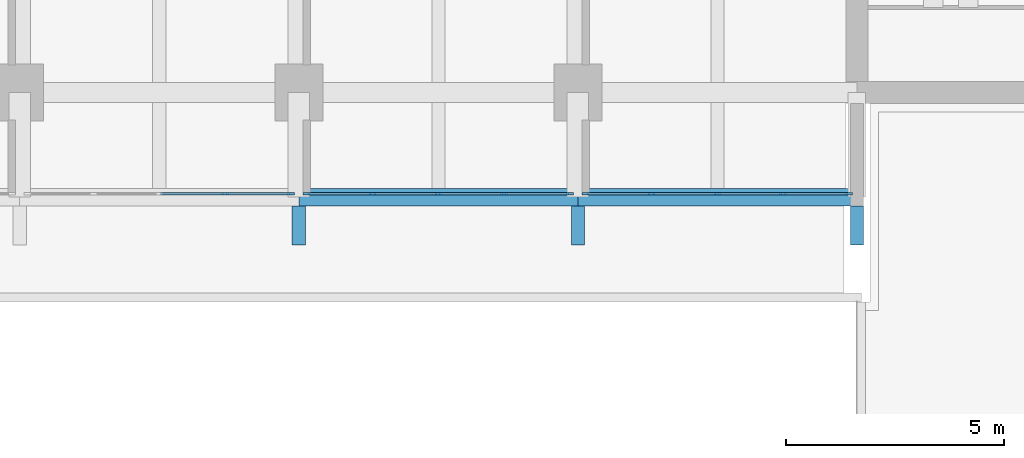
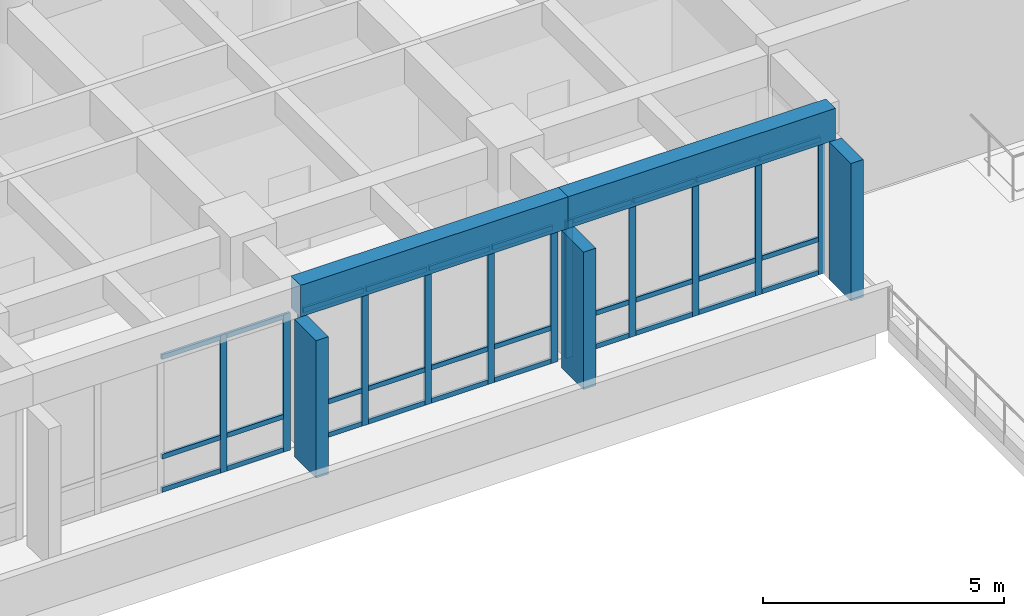
# One storey, part 3 of 21: 45 members, 2 beams, 3 elements without a shape of their own.
"""IFC4 building model written with IfcOpenShell, lengths in metres."""

from ifc_helpers import new_model, si_unit, direction, frame, origin, origin_2d, place, context, subcontext, project, spatial, rectangle, extrude, material, layer, layer_set, material_profile, profile_set, type_object, element, aggregate, save


model = new_model("IFC4")

# Units and contexts
model_context = context("Model", 3, precision=1e-05, world=origin(), true_north=direction((0.0, 1.0)))
body_context = subcontext(model_context, "Body", "Model", "MODEL_VIEW")
ifc_project = project(units=[si_unit("LENGTHUNIT", "METRE"), si_unit("AREAUNIT", "SQUARE_METRE"), si_unit("VOLUMEUNIT", "CUBIC_METRE"), si_unit("PLANEANGLEUNIT", "RADIAN"), si_unit("MASSUNIT", "GRAM", prefix="KILO")], contexts=[model_context])

# Site, building, storey
site_placement = place(None, origin())
site = spatial("IfcSite", under=ifc_project, at=site_placement, CompositionType="ELEMENT")
building_placement = place(site_placement, origin())
building = spatial("IfcBuilding", under=site, at=building_placement, Name="Fogon Plaza Fire Station and Headquarters Tower", CompositionType="ELEMENT")
storey_placement = place(building_placement, frame((0.0, 0.0, 8.39990234375)))
storey = spatial("IfcBuildingStorey", under=building, at=storey_placement, Name="L02", CompositionType="ELEMENT", Elevation=8.39990234375)

# Beams
ifc_material_1 = material(Name="Concrete C40", Category="concrete")
ifc_material_profile_1 = material_profile(ifc_material_1, rectangle(XDim=0.39990234375, YDim=0.800048828125, at=origin_2d()), Name="RC 400x800")
ifc_profile_set_1 = profile_set([ifc_material_profile_1], Name="Concrete C40")
beam_type = type_object("IfcBeamType", Name="BEAM RC 400x800", PredefinedType="BEAM", material=ifc_profile_set_1)
beam_1_placement = place(storey_placement, frame((51.199951171875, 31.199951171875, 3.880126953125), z_axis=(1.0, 0.0, 0.0), x_axis=(0.0, 1.0, 0.0)))
element("IfcBeam", 1, at=beam_1_placement, inside=storey, type_object=beam_type, Name="beam-L02-043", PredefinedType="BEAM", context=body_context, shape_type="SweptSolid", body=[
    extrude(rectangle(XDim=0.39990234375, YDim=0.800048828125, at=origin_2d()), origin(), (0.0, 0.0, 1.0), 6.400146484375),
])
beam_2_placement = place(storey_placement, frame((57.60009765625, 31.199951171875, 3.880126953125), z_axis=(1.0, 0.0, 0.0), x_axis=(0.0, 1.0, 0.0)))
element("IfcBeam", 2, at=beam_2_placement, inside=storey, type_object=beam_type, Name="beam-L02-044", PredefinedType="BEAM", context=body_context, shape_type="SweptSolid", body=[
    extrude(rectangle(XDim=0.39990234375, YDim=0.800048828125, at=origin_2d()), origin(), (0.0, 0.0, 1.0), 6.39990234375),
])

# Curtain wall, members
ifc_material_2 = material(Name="Aluminium and glass", Category="aluminium")
ifc_layer = layer(ifc_material_2, 0.14990234375)
ifc_layer_set = layer_set([ifc_layer], Name="Aluminium and glass")
curtain_wall_type = type_object("IfcCurtainWallType", Name="Unitised Curtain Wall Run 6100x3480", PredefinedType="NOTDEFINED", material=ifc_layer_set)
curtain_wall_1_placement = place(storey_placement, origin())
curtain_wall_1 = element("IfcCurtainWall", 3, at=curtain_wall_1_placement, inside=storey, type_object=curtain_wall_type, Name="CW-6100x3480 S4 L02", PredefinedType="NOTDEFINED")
ifc_material_3 = material(Name="Aluminium", Category="aluminium")
ifc_material_profile_2 = material_profile(ifc_material_3, rectangle(XDim=0.06005859375, YDim=0.159912109375, at=origin_2d()), Name="Curtain Wall Mullion 60x160")
ifc_profile_set_2 = profile_set([ifc_material_profile_2], Name="Aluminium")
member_type_1 = type_object("IfcMemberType", Name="Curtain Wall Mullion 60x160", PredefinedType="MULLION", material=ifc_profile_set_2)
member_1_placement = place(storey_placement, frame((49.510009765625, 31.280029296875, 0.0), z_axis=(0.0, 0.0, 1.0), x_axis=(0.0, 1.0, 0.0)))
member_1 = element("IfcMember", 4, at=member_1_placement, type_object=member_type_1, Name="CW-6100x3480 mullion 4", PredefinedType="MULLION", context=body_context, shape_type="SweptSolid", body=[
    extrude(rectangle(XDim=0.06005859375, YDim=0.159912109375, at=origin_2d()), origin(), (0.0, 0.0, 1.0), 3.47998046875),
])
member_2_placement = place(storey_placement, frame((51.02001953125, 31.280029296875, 0.0), z_axis=(0.0, 0.0, 1.0), x_axis=(0.0, 1.0, 0.0)))
member_2 = element("IfcMember", 5, at=member_2_placement, type_object=member_type_1, Name="CW-6100x3480 mullion 5", PredefinedType="MULLION", context=body_context, shape_type="SweptSolid", body=[
    extrude(rectangle(XDim=0.06005859375, YDim=0.159912109375, at=origin_2d()), origin(), (0.0, 0.0, 1.0), 3.47998046875),
])

curtain_wall_2_placement = place(storey_placement, origin())
curtain_wall_2 = element("IfcCurtainWall", 6, at=curtain_wall_2_placement, inside=storey, type_object=curtain_wall_type, Name="CW-6100x3480 S5 L02", PredefinedType="NOTDEFINED")
member_3_placement = place(storey_placement, frame((51.3798828125, 31.280029296875, 0.0), z_axis=(0.0, 0.0, 1.0), x_axis=(0.0, 1.0, 0.0)))
member_3 = element("IfcMember", 7, at=member_3_placement, type_object=member_type_1, Name="CW-6100x3480 mullion 1", PredefinedType="MULLION", context=body_context, shape_type="SweptSolid", body=[
    extrude(rectangle(XDim=0.06005859375, YDim=0.159912109375, at=origin_2d()), origin(), (0.0, 0.0, 1.0), 3.47998046875),
])
member_4_placement = place(storey_placement, frame((52.889892578125, 31.280029296875, 0.0), z_axis=(0.0, 0.0, 1.0), x_axis=(0.0, 1.0, 0.0)))
member_4 = element("IfcMember", 8, at=member_4_placement, type_object=member_type_1, Name="CW-6100x3480 mullion 2", PredefinedType="MULLION", context=body_context, shape_type="SweptSolid", body=[
    extrude(rectangle(XDim=0.06005859375, YDim=0.159912109375, at=origin_2d()), origin(), (0.0, 0.0, 1.0), 3.47998046875),
])
member_5_placement = place(storey_placement, frame((54.39990234375, 31.280029296875, 0.0), z_axis=(0.0, 0.0, 1.0), x_axis=(0.0, 1.0, 0.0)))
member_5 = element("IfcMember", 9, at=member_5_placement, type_object=member_type_1, Name="CW-6100x3480 mullion 3", PredefinedType="MULLION", context=body_context, shape_type="SweptSolid", body=[
    extrude(rectangle(XDim=0.06005859375, YDim=0.159912109375, at=origin_2d()), origin(), (0.0, 0.0, 1.0), 3.47998046875),
])
member_6_placement = place(storey_placement, frame((55.909912109375, 31.280029296875, 0.0), z_axis=(0.0, 0.0, 1.0), x_axis=(0.0, 1.0, 0.0)))
member_6 = element("IfcMember", 10, at=member_6_placement, type_object=member_type_1, Name="CW-6100x3480 mullion 4", PredefinedType="MULLION", context=body_context, shape_type="SweptSolid", body=[
    extrude(rectangle(XDim=0.06005859375, YDim=0.159912109375, at=origin_2d()), origin(), (0.0, 0.0, 1.0), 3.47998046875),
])
member_7_placement = place(storey_placement, frame((57.419921875, 31.280029296875, 0.0), z_axis=(0.0, 0.0, 1.0), x_axis=(0.0, 1.0, 0.0)))
member_7 = element("IfcMember", 11, at=member_7_placement, type_object=member_type_1, Name="CW-6100x3480 mullion 5", PredefinedType="MULLION", context=body_context, shape_type="SweptSolid", body=[
    extrude(rectangle(XDim=0.06005859375, YDim=0.159912109375, at=origin_2d()), origin(), (0.0, 0.0, 1.0), 3.47998046875),
])

curtain_wall_3_placement = place(storey_placement, origin())
curtain_wall_3 = element("IfcCurtainWall", 12, at=curtain_wall_3_placement, inside=storey, type_object=curtain_wall_type, Name="CW-6100x3480 S6 L02", PredefinedType="NOTDEFINED")
member_8_placement = place(storey_placement, frame((57.780029296875, 31.280029296875, 0.0), z_axis=(0.0, 0.0, 1.0), x_axis=(0.0, 1.0, 0.0)))
member_8 = element("IfcMember", 13, at=member_8_placement, type_object=member_type_1, Name="CW-6100x3480 mullion 1", PredefinedType="MULLION", context=body_context, shape_type="SweptSolid", body=[
    extrude(rectangle(XDim=0.06005859375, YDim=0.159912109375, at=origin_2d()), origin(), (0.0, 0.0, 1.0), 3.47998046875),
])
member_9_placement = place(storey_placement, frame((59.2900390625, 31.280029296875, 0.0), z_axis=(0.0, 0.0, 1.0), x_axis=(0.0, 1.0, 0.0)))
member_9 = element("IfcMember", 14, at=member_9_placement, type_object=member_type_1, Name="CW-6100x3480 mullion 2", PredefinedType="MULLION", context=body_context, shape_type="SweptSolid", body=[
    extrude(rectangle(XDim=0.06005859375, YDim=0.159912109375, at=origin_2d()), origin(), (0.0, 0.0, 1.0), 3.47998046875),
])
member_10_placement = place(storey_placement, frame((60.800048828125, 31.280029296875, 0.0), z_axis=(0.0, 0.0, 1.0), x_axis=(0.0, 1.0, 0.0)))
member_10 = element("IfcMember", 15, at=member_10_placement, type_object=member_type_1, Name="CW-6100x3480 mullion 3", PredefinedType="MULLION", context=body_context, shape_type="SweptSolid", body=[
    extrude(rectangle(XDim=0.06005859375, YDim=0.159912109375, at=origin_2d()), origin(), (0.0, 0.0, 1.0), 3.47998046875),
])
member_11_placement = place(storey_placement, frame((62.31005859375, 31.280029296875, 0.0), z_axis=(0.0, 0.0, 1.0), x_axis=(0.0, 1.0, 0.0)))
member_11 = element("IfcMember", 16, at=member_11_placement, type_object=member_type_1, Name="CW-6100x3480 mullion 4", PredefinedType="MULLION", context=body_context, shape_type="SweptSolid", body=[
    extrude(rectangle(XDim=0.06005859375, YDim=0.159912109375, at=origin_2d()), origin(), (0.0, 0.0, 1.0), 3.47998046875),
])
member_12_placement = place(storey_placement, frame((63.820068359375, 31.280029296875, 0.0), z_axis=(0.0, 0.0, 1.0), x_axis=(0.0, 1.0, 0.0)))
member_12 = element("IfcMember", 17, at=member_12_placement, type_object=member_type_1, Name="CW-6100x3480 mullion 5", PredefinedType="MULLION", context=body_context, shape_type="SweptSolid", body=[
    extrude(rectangle(XDim=0.06005859375, YDim=0.159912109375, at=origin_2d()), origin(), (0.0, 0.0, 1.0), 3.47998046875),
])

# Member
ifc_material_4 = material(Name="Aluminium", Category="aluminium")
ifc_material_profile_3 = material_profile(ifc_material_4, rectangle(XDim=0.06005859375, YDim=0.1201171875, at=origin_2d()), Name="Curtain Wall Transom 60x120")
ifc_profile_set_3 = profile_set([ifc_material_profile_3], Name="Aluminium")
member_type_2 = type_object("IfcMemberType", Name="Curtain Wall Transom 60x120", PredefinedType="USERDEFINED", material=ifc_profile_set_3)
member_13_placement = place(storey_placement, frame((48.030029296875, 31.280029296875, 0.06005859375), z_axis=(1.0, 0.0, 0.0), x_axis=(0.0, 1.0, 0.0)))
member_13 = element("IfcMember", 18, at=member_13_placement, type_object=member_type_2, Name="CW-6100x3480 transom 3.1", ObjectType="TRANSOM", PredefinedType="USERDEFINED", context=body_context, shape_type="SweptSolid", body=[
    extrude(rectangle(XDim=0.06005859375, YDim=0.1201171875, at=origin_2d()), origin(), (0.0, 0.0, 1.0), 1.449951171875),
])

member_14_placement = place(storey_placement, frame((48.030029296875, 31.280029296875, 0.900146484375), z_axis=(1.0, 0.0, 0.0), x_axis=(0.0, 1.0, 0.0)))
member_14 = element("IfcMember", 19, at=member_14_placement, type_object=member_type_2, Name="CW-6100x3480 transom 3.2", ObjectType="TRANSOM", PredefinedType="USERDEFINED", context=body_context, shape_type="SweptSolid", body=[
    extrude(rectangle(XDim=0.06005859375, YDim=0.1201171875, at=origin_2d()), origin(), (0.0, 0.0, 1.0), 1.449951171875),
])

member_15_placement = place(storey_placement, frame((48.030029296875, 31.280029296875, 3.420166015625), z_axis=(1.0, 0.0, 0.0), x_axis=(0.0, 1.0, 0.0)))
member_15 = element("IfcMember", 20, at=member_15_placement, type_object=member_type_2, Name="CW-6100x3480 transom 3.3", ObjectType="TRANSOM", PredefinedType="USERDEFINED", context=body_context, shape_type="SweptSolid", body=[
    extrude(rectangle(XDim=0.06005859375, YDim=0.1201171875, at=origin_2d()), origin(), (0.0, 0.0, 1.0), 1.449951171875),
])

member_16_placement = place(storey_placement, frame((49.5400390625, 31.280029296875, 0.06005859375), z_axis=(1.0, 0.0, 0.0), x_axis=(0.0, 1.0, 0.0)))
member_16 = element("IfcMember", 21, at=member_16_placement, type_object=member_type_2, Name="CW-6100x3480 transom 4.1", ObjectType="TRANSOM", PredefinedType="USERDEFINED", context=body_context, shape_type="SweptSolid", body=[
    extrude(rectangle(XDim=0.06005859375, YDim=0.1201171875, at=origin_2d()), origin(), (0.0, 0.0, 1.0), 1.449951171875),
])

member_17_placement = place(storey_placement, frame((49.5400390625, 31.280029296875, 0.900146484375), z_axis=(1.0, 0.0, 0.0), x_axis=(0.0, 1.0, 0.0)))
member_17 = element("IfcMember", 22, at=member_17_placement, type_object=member_type_2, Name="CW-6100x3480 transom 4.2", ObjectType="TRANSOM", PredefinedType="USERDEFINED", context=body_context, shape_type="SweptSolid", body=[
    extrude(rectangle(XDim=0.06005859375, YDim=0.1201171875, at=origin_2d()), origin(), (0.0, 0.0, 1.0), 1.449951171875),
])

member_18_placement = place(storey_placement, frame((49.5400390625, 31.280029296875, 3.420166015625), z_axis=(1.0, 0.0, 0.0), x_axis=(0.0, 1.0, 0.0)))
member_18 = element("IfcMember", 23, at=member_18_placement, type_object=member_type_2, Name="CW-6100x3480 transom 4.3", ObjectType="TRANSOM", PredefinedType="USERDEFINED", context=body_context, shape_type="SweptSolid", body=[
    extrude(rectangle(XDim=0.06005859375, YDim=0.1201171875, at=origin_2d()), origin(), (0.0, 0.0, 1.0), 1.449951171875),
])

aggregate(curtain_wall_1, [member_1, member_2, member_13, member_14, member_15, member_16, member_17, member_18])

member_19_placement = place(storey_placement, frame((51.409912109375, 31.280029296875, 0.06005859375), z_axis=(1.0, 0.0, 0.0), x_axis=(0.0, 1.0, 0.0)))
member_19 = element("IfcMember", 24, at=member_19_placement, type_object=member_type_2, Name="CW-6100x3480 transom 1.1", ObjectType="TRANSOM", PredefinedType="USERDEFINED", context=body_context, shape_type="SweptSolid", body=[
    extrude(rectangle(XDim=0.06005859375, YDim=0.1201171875, at=origin_2d()), origin(), (0.0, 0.0, 1.0), 1.4501953125),
])

member_20_placement = place(storey_placement, frame((51.409912109375, 31.280029296875, 0.900146484375), z_axis=(1.0, 0.0, 0.0), x_axis=(0.0, 1.0, 0.0)))
member_20 = element("IfcMember", 25, at=member_20_placement, type_object=member_type_2, Name="CW-6100x3480 transom 1.2", ObjectType="TRANSOM", PredefinedType="USERDEFINED", context=body_context, shape_type="SweptSolid", body=[
    extrude(rectangle(XDim=0.06005859375, YDim=0.1201171875, at=origin_2d()), origin(), (0.0, 0.0, 1.0), 1.4501953125),
])

member_21_placement = place(storey_placement, frame((51.409912109375, 31.280029296875, 3.420166015625), z_axis=(1.0, 0.0, 0.0), x_axis=(0.0, 1.0, 0.0)))
member_21 = element("IfcMember", 26, at=member_21_placement, type_object=member_type_2, Name="CW-6100x3480 transom 1.3", ObjectType="TRANSOM", PredefinedType="USERDEFINED", context=body_context, shape_type="SweptSolid", body=[
    extrude(rectangle(XDim=0.06005859375, YDim=0.1201171875, at=origin_2d()), origin(), (0.0, 0.0, 1.0), 1.4501953125),
])

member_22_placement = place(storey_placement, frame((52.919921875, 31.280029296875, 0.06005859375), z_axis=(1.0, 0.0, 0.0), x_axis=(0.0, 1.0, 0.0)))
member_22 = element("IfcMember", 27, at=member_22_placement, type_object=member_type_2, Name="CW-6100x3480 transom 2.1", ObjectType="TRANSOM", PredefinedType="USERDEFINED", context=body_context, shape_type="SweptSolid", body=[
    extrude(rectangle(XDim=0.06005859375, YDim=0.1201171875, at=origin_2d()), origin(), (0.0, 0.0, 1.0), 1.4501953125),
])

member_23_placement = place(storey_placement, frame((52.919921875, 31.280029296875, 0.900146484375), z_axis=(1.0, 0.0, 0.0), x_axis=(0.0, 1.0, 0.0)))
member_23 = element("IfcMember", 28, at=member_23_placement, type_object=member_type_2, Name="CW-6100x3480 transom 2.2", ObjectType="TRANSOM", PredefinedType="USERDEFINED", context=body_context, shape_type="SweptSolid", body=[
    extrude(rectangle(XDim=0.06005859375, YDim=0.1201171875, at=origin_2d()), origin(), (0.0, 0.0, 1.0), 1.4501953125),
])

member_24_placement = place(storey_placement, frame((52.919921875, 31.280029296875, 3.420166015625), z_axis=(1.0, 0.0, 0.0), x_axis=(0.0, 1.0, 0.0)))
member_24 = element("IfcMember", 29, at=member_24_placement, type_object=member_type_2, Name="CW-6100x3480 transom 2.3", ObjectType="TRANSOM", PredefinedType="USERDEFINED", context=body_context, shape_type="SweptSolid", body=[
    extrude(rectangle(XDim=0.06005859375, YDim=0.1201171875, at=origin_2d()), origin(), (0.0, 0.0, 1.0), 1.4501953125),
])

member_25_placement = place(storey_placement, frame((54.429931640625, 31.280029296875, 0.06005859375), z_axis=(1.0, 0.0, 0.0), x_axis=(0.0, 1.0, 0.0)))
member_25 = element("IfcMember", 30, at=member_25_placement, type_object=member_type_2, Name="CW-6100x3480 transom 3.1", ObjectType="TRANSOM", PredefinedType="USERDEFINED", context=body_context, shape_type="SweptSolid", body=[
    extrude(rectangle(XDim=0.06005859375, YDim=0.1201171875, at=origin_2d()), origin(), (0.0, 0.0, 1.0), 1.449951171875),
])

member_26_placement = place(storey_placement, frame((54.429931640625, 31.280029296875, 0.900146484375), z_axis=(1.0, 0.0, 0.0), x_axis=(0.0, 1.0, 0.0)))
member_26 = element("IfcMember", 31, at=member_26_placement, type_object=member_type_2, Name="CW-6100x3480 transom 3.2", ObjectType="TRANSOM", PredefinedType="USERDEFINED", context=body_context, shape_type="SweptSolid", body=[
    extrude(rectangle(XDim=0.06005859375, YDim=0.1201171875, at=origin_2d()), origin(), (0.0, 0.0, 1.0), 1.449951171875),
])

member_27_placement = place(storey_placement, frame((54.429931640625, 31.280029296875, 3.420166015625), z_axis=(1.0, 0.0, 0.0), x_axis=(0.0, 1.0, 0.0)))
member_27 = element("IfcMember", 32, at=member_27_placement, type_object=member_type_2, Name="CW-6100x3480 transom 3.3", ObjectType="TRANSOM", PredefinedType="USERDEFINED", context=body_context, shape_type="SweptSolid", body=[
    extrude(rectangle(XDim=0.06005859375, YDim=0.1201171875, at=origin_2d()), origin(), (0.0, 0.0, 1.0), 1.449951171875),
])

member_28_placement = place(storey_placement, frame((55.93994140625, 31.280029296875, 0.06005859375), z_axis=(1.0, 0.0, 0.0), x_axis=(0.0, 1.0, 0.0)))
member_28 = element("IfcMember", 33, at=member_28_placement, type_object=member_type_2, Name="CW-6100x3480 transom 4.1", ObjectType="TRANSOM", PredefinedType="USERDEFINED", context=body_context, shape_type="SweptSolid", body=[
    extrude(rectangle(XDim=0.06005859375, YDim=0.1201171875, at=origin_2d()), origin(), (0.0, 0.0, 1.0), 1.449951171875),
])

member_29_placement = place(storey_placement, frame((55.93994140625, 31.280029296875, 0.900146484375), z_axis=(1.0, 0.0, 0.0), x_axis=(0.0, 1.0, 0.0)))
member_29 = element("IfcMember", 34, at=member_29_placement, type_object=member_type_2, Name="CW-6100x3480 transom 4.2", ObjectType="TRANSOM", PredefinedType="USERDEFINED", context=body_context, shape_type="SweptSolid", body=[
    extrude(rectangle(XDim=0.06005859375, YDim=0.1201171875, at=origin_2d()), origin(), (0.0, 0.0, 1.0), 1.449951171875),
])

member_30_placement = place(storey_placement, frame((55.93994140625, 31.280029296875, 3.420166015625), z_axis=(1.0, 0.0, 0.0), x_axis=(0.0, 1.0, 0.0)))
member_30 = element("IfcMember", 35, at=member_30_placement, type_object=member_type_2, Name="CW-6100x3480 transom 4.3", ObjectType="TRANSOM", PredefinedType="USERDEFINED", context=body_context, shape_type="SweptSolid", body=[
    extrude(rectangle(XDim=0.06005859375, YDim=0.1201171875, at=origin_2d()), origin(), (0.0, 0.0, 1.0), 1.449951171875),
])

aggregate(curtain_wall_2, [member_3, member_4, member_5, member_6, member_7, member_19, member_20, member_21, member_22, member_23, member_24, member_25, member_26, member_27, member_28, member_29, member_30])

member_31_placement = place(storey_placement, frame((57.81005859375, 31.280029296875, 0.06005859375), z_axis=(1.0, 0.0, 0.0), x_axis=(0.0, 1.0, 0.0)))
member_31 = element("IfcMember", 36, at=member_31_placement, type_object=member_type_2, Name="CW-6100x3480 transom 1.1", ObjectType="TRANSOM", PredefinedType="USERDEFINED", context=body_context, shape_type="SweptSolid", body=[
    extrude(rectangle(XDim=0.06005859375, YDim=0.1201171875, at=origin_2d()), origin(), (0.0, 0.0, 1.0), 1.449951171875),
])

member_32_placement = place(storey_placement, frame((57.81005859375, 31.280029296875, 0.900146484375), z_axis=(1.0, 0.0, 0.0), x_axis=(0.0, 1.0, 0.0)))
member_32 = element("IfcMember", 37, at=member_32_placement, type_object=member_type_2, Name="CW-6100x3480 transom 1.2", ObjectType="TRANSOM", PredefinedType="USERDEFINED", context=body_context, shape_type="SweptSolid", body=[
    extrude(rectangle(XDim=0.06005859375, YDim=0.1201171875, at=origin_2d()), origin(), (0.0, 0.0, 1.0), 1.449951171875),
])

member_33_placement = place(storey_placement, frame((57.81005859375, 31.280029296875, 3.420166015625), z_axis=(1.0, 0.0, 0.0), x_axis=(0.0, 1.0, 0.0)))
member_33 = element("IfcMember", 38, at=member_33_placement, type_object=member_type_2, Name="CW-6100x3480 transom 1.3", ObjectType="TRANSOM", PredefinedType="USERDEFINED", context=body_context, shape_type="SweptSolid", body=[
    extrude(rectangle(XDim=0.06005859375, YDim=0.1201171875, at=origin_2d()), origin(), (0.0, 0.0, 1.0), 1.449951171875),
])

member_34_placement = place(storey_placement, frame((59.320068359375, 31.280029296875, 0.06005859375), z_axis=(1.0, 0.0, 0.0), x_axis=(0.0, 1.0, 0.0)))
member_34 = element("IfcMember", 39, at=member_34_placement, type_object=member_type_2, Name="CW-6100x3480 transom 2.1", ObjectType="TRANSOM", PredefinedType="USERDEFINED", context=body_context, shape_type="SweptSolid", body=[
    extrude(rectangle(XDim=0.06005859375, YDim=0.1201171875, at=origin_2d()), origin(), (0.0, 0.0, 1.0), 1.449951171875),
])

member_35_placement = place(storey_placement, frame((59.320068359375, 31.280029296875, 0.900146484375), z_axis=(1.0, 0.0, 0.0), x_axis=(0.0, 1.0, 0.0)))
member_35 = element("IfcMember", 40, at=member_35_placement, type_object=member_type_2, Name="CW-6100x3480 transom 2.2", ObjectType="TRANSOM", PredefinedType="USERDEFINED", context=body_context, shape_type="SweptSolid", body=[
    extrude(rectangle(XDim=0.06005859375, YDim=0.1201171875, at=origin_2d()), origin(), (0.0, 0.0, 1.0), 1.449951171875),
])

member_36_placement = place(storey_placement, frame((59.320068359375, 31.280029296875, 3.420166015625), z_axis=(1.0, 0.0, 0.0), x_axis=(0.0, 1.0, 0.0)))
member_36 = element("IfcMember", 41, at=member_36_placement, type_object=member_type_2, Name="CW-6100x3480 transom 2.3", ObjectType="TRANSOM", PredefinedType="USERDEFINED", context=body_context, shape_type="SweptSolid", body=[
    extrude(rectangle(XDim=0.06005859375, YDim=0.1201171875, at=origin_2d()), origin(), (0.0, 0.0, 1.0), 1.449951171875),
])

member_37_placement = place(storey_placement, frame((60.830078125, 31.280029296875, 0.06005859375), z_axis=(1.0, 0.0, 0.0), x_axis=(0.0, 1.0, 0.0)))
member_37 = element("IfcMember", 42, at=member_37_placement, type_object=member_type_2, Name="CW-6100x3480 transom 3.1", ObjectType="TRANSOM", PredefinedType="USERDEFINED", context=body_context, shape_type="SweptSolid", body=[
    extrude(rectangle(XDim=0.06005859375, YDim=0.1201171875, at=origin_2d()), origin(), (0.0, 0.0, 1.0), 1.449951171875),
])

member_38_placement = place(storey_placement, frame((60.830078125, 31.280029296875, 0.900146484375), z_axis=(1.0, 0.0, 0.0), x_axis=(0.0, 1.0, 0.0)))
member_38 = element("IfcMember", 43, at=member_38_placement, type_object=member_type_2, Name="CW-6100x3480 transom 3.2", ObjectType="TRANSOM", PredefinedType="USERDEFINED", context=body_context, shape_type="SweptSolid", body=[
    extrude(rectangle(XDim=0.06005859375, YDim=0.1201171875, at=origin_2d()), origin(), (0.0, 0.0, 1.0), 1.449951171875),
])

member_39_placement = place(storey_placement, frame((60.830078125, 31.280029296875, 3.420166015625), z_axis=(1.0, 0.0, 0.0), x_axis=(0.0, 1.0, 0.0)))
member_39 = element("IfcMember", 44, at=member_39_placement, type_object=member_type_2, Name="CW-6100x3480 transom 3.3", ObjectType="TRANSOM", PredefinedType="USERDEFINED", context=body_context, shape_type="SweptSolid", body=[
    extrude(rectangle(XDim=0.06005859375, YDim=0.1201171875, at=origin_2d()), origin(), (0.0, 0.0, 1.0), 1.449951171875),
])

member_40_placement = place(storey_placement, frame((62.340087890625, 31.280029296875, 0.06005859375), z_axis=(1.0, 0.0, 0.0), x_axis=(0.0, 1.0, 0.0)))
member_40 = element("IfcMember", 45, at=member_40_placement, type_object=member_type_2, Name="CW-6100x3480 transom 4.1", ObjectType="TRANSOM", PredefinedType="USERDEFINED", context=body_context, shape_type="SweptSolid", body=[
    extrude(rectangle(XDim=0.06005859375, YDim=0.1201171875, at=origin_2d()), origin(), (0.0, 0.0, 1.0), 1.449951171875),
])

member_41_placement = place(storey_placement, frame((62.340087890625, 31.280029296875, 0.900146484375), z_axis=(1.0, 0.0, 0.0), x_axis=(0.0, 1.0, 0.0)))
member_41 = element("IfcMember", 46, at=member_41_placement, type_object=member_type_2, Name="CW-6100x3480 transom 4.2", ObjectType="TRANSOM", PredefinedType="USERDEFINED", context=body_context, shape_type="SweptSolid", body=[
    extrude(rectangle(XDim=0.06005859375, YDim=0.1201171875, at=origin_2d()), origin(), (0.0, 0.0, 1.0), 1.449951171875),
])

member_42_placement = place(storey_placement, frame((62.340087890625, 31.280029296875, 3.420166015625), z_axis=(1.0, 0.0, 0.0), x_axis=(0.0, 1.0, 0.0)))
member_42 = element("IfcMember", 47, at=member_42_placement, type_object=member_type_2, Name="CW-6100x3480 transom 4.3", ObjectType="TRANSOM", PredefinedType="USERDEFINED", context=body_context, shape_type="SweptSolid", body=[
    extrude(rectangle(XDim=0.06005859375, YDim=0.1201171875, at=origin_2d()), origin(), (0.0, 0.0, 1.0), 1.449951171875),
])

aggregate(curtain_wall_3, [member_8, member_9, member_10, member_11, member_12, member_31, member_32, member_33, member_34, member_35, member_36, member_37, member_38, member_39, member_40, member_41, member_42])

# Members
ifc_material_5 = material(Name="Concrete C40 precast", Category="concrete")
ifc_material_profile_4 = material_profile(ifc_material_5, rectangle(XDim=0.300048828125, YDim=0.89990234375, at=origin_2d()), Name="Precast Concrete Post 300x900")
ifc_profile_set_4 = profile_set([ifc_material_profile_4], Name="Concrete C40 precast")
member_type_3 = type_object("IfcMemberType", Name="Precast Concrete Post 300x900", PredefinedType="POST", material=ifc_profile_set_4)
for number, where, z_axis, x_axis, name in (
    (48, (51.199951171875, 30.550048828125, 0.0), (0.0, 0.0, 1.0), (1.0, 0.0, 0.0), "Precast Post S L02"),
    (49, (57.60009765625, 30.550048828125, 0.0), (0.0, 0.0, 1.0), (1.0, 0.0, 0.0), "Precast Post S L02"),
    (50, (64.0, 30.550048828125, 0.0), (0.0, 0.0, 1.0), (1.0, 0.0, 0.0), "Precast Post S L02"),
):
    element("IfcMember", number, at=place(storey_placement, frame(where, z_axis=z_axis, x_axis=x_axis)), inside=storey, type_object=member_type_3, Name=name, PredefinedType="POST", context=body_context, shape_type="SweptSolid", body=[
        extrude(rectangle(XDim=0.300048828125, YDim=0.89990234375, at=origin_2d()), origin(), (0.0, 0.0, 1.0), 3.47998046875),
    ])

save(model, "model.ifc")
